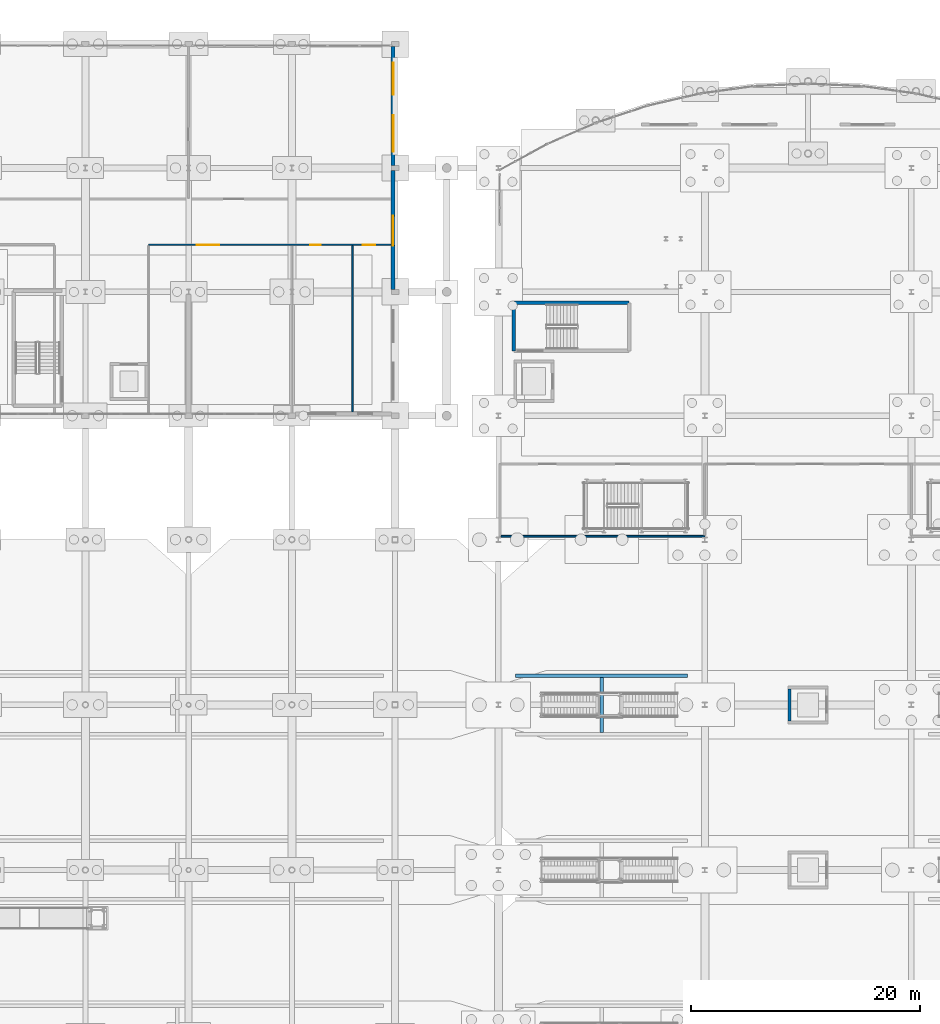
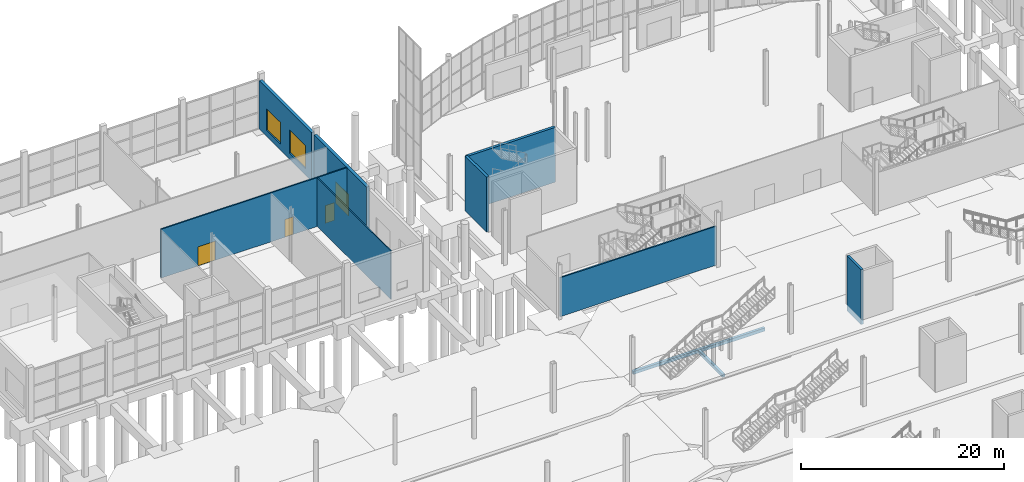
# One storey, part 89 of 115: 10 walls, 4 doors, 2 windows, 6 openings.
"""IFC4 building model written with IfcOpenShell, lengths in metres."""

from ifc_helpers import new_model, si_unit, direction, frame, frame_2d, origin, place, context, subcontext, project, spatial, rectangle, extrude, material, layer, layer_set, type_object, element, fill, save


model = new_model("IFC4")

# Units and contexts
model_context = context("Model", 3, precision=1e-05, world=origin(), true_north=direction((0.0, 1.0)))
body_context = subcontext(model_context, "Body", "Model", "MODEL_VIEW")
ifc_project = project(units=[si_unit("LENGTHUNIT", "METRE"), si_unit("AREAUNIT", "SQUARE_METRE"), si_unit("VOLUMEUNIT", "CUBIC_METRE"), si_unit("PLANEANGLEUNIT", "RADIAN"), si_unit("MASSUNIT", "GRAM", prefix="KILO")], contexts=[model_context])

# Site, building, storey
site_placement = place(None, origin())
site = spatial("IfcSite", under=ifc_project, at=site_placement, CompositionType="ELEMENT")
building_placement = place(site_placement, origin())
building = spatial("IfcBuilding", under=site, at=building_placement, Name="Tamarisk Ironworks Central Station", CompositionType="ELEMENT")
storey_placement = place(building_placement, origin())
storey = spatial("IfcBuildingStorey", under=building, at=storey_placement, Name="L00", CompositionType="ELEMENT", Elevation=0.0)

# Wall, opening, door
ifc_material_1 = material(Name="Clay facing brickwork and mortar", Category="masonry")
ifc_layer_1 = layer(ifc_material_1, 0.340087890625)
ifc_layer_set_1 = layer_set([ifc_layer_1], Name="Clay facing brickwork and mortar")
wall_type_1 = type_object("IfcWallType", Name="WL-BR340", PredefinedType="STANDARD", material=ifc_layer_set_1)
wall_1_placement = place(storey_placement, frame((44.830078125, 101.02294921875, 0.0), z_axis=(0.0, 0.0, 1.0), x_axis=(0.0, 1.0, 0.0)))
wall_1 = element("IfcWall", 1, at=wall_1_placement, inside=storey, type_object=wall_type_1, Name="L00 brick facade wall 0027", PredefinedType="STANDARD", context=body_context, shape_type="SweptSolid", body=[
    extrude(rectangle(XDim=10.35400390625, YDim=0.340087890625, at=frame_2d((5.177001953125, 0.0))), origin(), (0.0, 0.0, 1.0), 5.85009765625),
])
opening_1_placement = place(wall_1_placement, frame((3.800048828125, 0.0, 0.0048828125)))
opening_1 = element("IfcOpeningElement", 2, at=opening_1_placement, cuts=wall_1, Name="Opening ED04", PredefinedType="OPENING", context=body_context, shape_type="SweptSolid", body=[
    extrude(rectangle(XDim=2.60009765625, YDim=2.60009765625, at=frame_2d((1.300048828125, 1.300048828125))), frame((0.0, 0.18212890625, 0.0), z_axis=(0.0, -1.0, 0.0), x_axis=(1.0, 0.0, 0.0)), (0.0, 0.0, 1.0), 0.364013671875),
])
ifc_material_2 = material(Name="Anodized aluminium alloy 6063-T6", Category="aluminium")
door_type_1 = type_object("IfcDoorType", Name="DR-ED04", OperationType="NOTDEFINED", PredefinedType="DOOR", material=ifc_material_2)
door_1_placement = place(opening_1_placement, origin())
door_1 = element("IfcDoor", 3, at=door_1_placement, inside=storey, type_object=door_type_1, Name="L00 exterior entrance door 0008", OperationType="DOUBLE_DOOR_SINGLE_SWING", OverallHeight=2.60009765625, OverallWidth=2.60009765625, PredefinedType="DOOR", context=body_context, shape_type="SweptSolid", body=[
    extrude(rectangle(XDim=2.60009765625, YDim=2.60009765625, at=frame_2d((1.300048828125, 1.300048828125))), frame((0.0, 0.02490234375, 0.0), z_axis=(0.0, -1.0, 0.0), x_axis=(1.0, 0.0, 0.0)), (0.0, 0.0, 1.0), 0.050048828125),
])
fill(opening_1, door_1)

# Wall, openings, windows
wall_2_placement = place(storey_placement, frame((44.830078125, 111.822998046875, 0.0), z_axis=(0.0, 0.0, 1.0), x_axis=(0.0, 1.0, 0.0)))
wall_2 = element("IfcWall", 4, at=wall_2_placement, inside=storey, type_object=wall_type_1, Name="L00 brick facade wall 0029", PredefinedType="STANDARD", context=body_context, shape_type="SweptSolid", body=[
    extrude(rectangle(XDim=10.35400390625, YDim=0.340087890625, at=frame_2d((5.177001953125, 0.0))), origin(), (0.0, 0.0, 1.0), 5.85009765625),
])
opening_2_placement = place(wall_2_placement, frame((1.18896484375, 0.0, 0.75)))
opening_2 = element("IfcOpeningElement", 5, at=opening_2_placement, cuts=wall_2, Name="Opening W02", PredefinedType="OPENING", context=body_context, shape_type="SweptSolid", body=[
    extrude(rectangle(XDim=3.199951171875, YDim=2.800048828125, at=frame_2d((1.60009765625, 1.39990234375))), frame((0.0, 0.18212890625, 0.0), z_axis=(0.0, -1.0, 0.0), x_axis=(1.0, 0.0, 0.0)), (0.0, 0.0, 1.0), 0.364013671875),
])
opening_3_placement = place(wall_2_placement, frame((6.166015625, 0.0, 0.75)))
opening_3 = element("IfcOpeningElement", 6, at=opening_3_placement, cuts=wall_2, Name="Opening W04", PredefinedType="OPENING", context=body_context, shape_type="SweptSolid", body=[
    extrude(rectangle(XDim=2.800048828125, YDim=2.60009765625, at=frame_2d((1.39990234375, 1.300048828125))), frame((0.0, 0.18212890625, 0.0), z_axis=(0.0, -1.0, 0.0), x_axis=(1.0, 0.0, 0.0)), (0.0, 0.0, 1.0), 0.364013671875),
])
ifc_material_3 = material(Name="Laminated solar-control low-E glass", Category="glass")
window_type_1 = type_object("IfcWindowType", Name="WN-02", PartitioningType="SINGLE_PANEL", PredefinedType="WINDOW", material=ifc_material_3)
window_1_placement = place(opening_2_placement, origin())
window_1 = element("IfcWindow", 7, at=window_1_placement, inside=storey, type_object=window_type_1, Name="L00 exterior window 0028", OverallHeight=2.800048828125, OverallWidth=3.199951171875, PartitioningType="DOUBLE_PANEL_VERTICAL", PredefinedType="WINDOW", context=body_context, shape_type="SweptSolid", body=[
    extrude(rectangle(XDim=3.199951171875, YDim=2.800048828125, at=frame_2d((1.60009765625, 1.39990234375))), frame((0.0, 0.030029296875, 0.0), z_axis=(0.0, -1.0, 0.0), x_axis=(1.0, 0.0, 0.0)), (0.0, 0.0, 1.0), 0.06005859375),
])
fill(opening_2, window_1)
window_type_2 = type_object("IfcWindowType", Name="WN-04", PartitioningType="SINGLE_PANEL", PredefinedType="WINDOW", material=ifc_material_3)
window_2_placement = place(opening_3_placement, origin())
window_2 = element("IfcWindow", 8, at=window_2_placement, inside=storey, type_object=window_type_2, Name="L00 exterior window 0029", OverallHeight=2.60009765625, OverallWidth=2.800048828125, PartitioningType="DOUBLE_PANEL_VERTICAL", PredefinedType="WINDOW", context=body_context, shape_type="SweptSolid", body=[
    extrude(rectangle(XDim=2.800048828125, YDim=2.60009765625, at=frame_2d((1.39990234375, 1.300048828125))), frame((0.0, 0.030029296875, 0.0), z_axis=(0.0, -1.0, 0.0), x_axis=(1.0, 0.0, 0.0)), (0.0, 0.0, 1.0), 0.06005859375),
])
fill(opening_3, window_2)

# Walls
ifc_material_4 = material(Name="Concrete C50/60", Category="concrete")
ifc_layer_2 = layer(ifc_material_4, 0.300048828125)
ifc_layer_set_2 = layer_set([ifc_layer_2], Name="Concrete C50/60")
wall_type_2 = type_object("IfcWallType", Name="WL-CW300", PredefinedType="SOLIDWALL", material=ifc_layer_set_2)
wall_3_placement = place(storey_placement, frame((55.5, 67.35009765625, 0.0), z_axis=(0.0, 0.0, 1.0), x_axis=(1.0, 0.0, 0.0)))
element("IfcWall", 9, at=wall_3_placement, inside=storey, type_object=wall_type_2, Name="Platform P4 M structural plinth wall 044", PredefinedType="SOLIDWALL", context=body_context, shape_type="SweptSolid", body=[
    extrude(rectangle(XDim=15.0, YDim=0.300048828125, at=frame_2d((7.5, 0.0))), origin(), (0.0, 0.0, 1.0), 0.375),
])
wall_4_placement = place(storey_placement, frame((63.0, 62.39990234375, 0.0), z_axis=(0.0, 0.0, 1.0), x_axis=(0.0, 1.0, 0.0)))
element("IfcWall", 10, at=wall_4_placement, inside=storey, type_object=wall_type_2, Name="Platform P4 M transverse diaphragm wall 047", PredefinedType="SOLIDWALL", context=body_context, shape_type="SweptSolid", body=[
    extrude(rectangle(XDim=4.800048828125, YDim=0.300048828125, at=frame_2d((2.39990234375, 0.0))), origin(), (0.0, 0.0, 1.0), 0.375),
])
wall_5_placement = place(storey_placement, frame((55.35498046875, 99.844970703125, 0.0), z_axis=(0.0, 0.0, 1.0), x_axis=(1.0, 0.0, 0.0)))
element("IfcWall", 11, at=wall_5_placement, inside=storey, type_object=wall_type_2, Name="ST-C3 core wall R (L00)", PredefinedType="SOLIDWALL", context=body_context, shape_type="SweptSolid", body=[
    extrude(rectangle(XDim=10.0400390625, YDim=0.300048828125, at=frame_2d((5.02001953125, 0.0))), origin(), (0.0, 0.0, 1.0), 6.60009765625),
])
wall_6_placement = place(storey_placement, frame((55.35498046875, 95.655029296875, 0.0), z_axis=(0.0, 0.0, 1.0), x_axis=(0.0, 1.0, 0.0)))
element("IfcWall", 12, at=wall_6_placement, inside=storey, type_object=wall_type_2, Name="ST-C3 core wall N (L00)", PredefinedType="SOLIDWALL", context=body_context, shape_type="SweptSolid", body=[
    extrude(rectangle(XDim=4.18994140625, YDim=0.300048828125, at=frame_2d((2.094970703125, 0.0))), origin(), (0.0, 0.0, 1.0), 6.60009765625),
])
ifc_material_5 = material(Name="Gypsum plasterboard acoustic partition")
ifc_layer_3 = layer(ifc_material_5, 0.1201171875)
ifc_layer_set_3 = layer_set([ifc_layer_3], Name="Gypsum plasterboard acoustic partition")
wall_type_3 = type_object("IfcWallType", Name="WL-PT120", PredefinedType="PARTITIONING", material=ifc_layer_set_3)
wall_7_placement = place(storey_placement, frame((41.300048828125, 90.337890625, 0.0), z_axis=(0.0, 0.0, 1.0), x_axis=(0.0, 1.0, 0.0)))
element("IfcWall", 13, at=wall_7_placement, inside=storey, type_object=wall_type_3, Name="L00 interior partition 0026", PredefinedType="PARTITIONING", context=body_context, shape_type="SweptSolid", body=[
    extrude(rectangle(XDim=14.489013671875, YDim=0.1201171875, at=frame_2d((7.24462890625, 0.0))), origin(), (0.0, 0.0, 1.0), 5.840087890625),
])

# Wall, openings, doors
ifc_layer_4 = layer(ifc_material_5, 0.14990234375)
ifc_layer_set_4 = layer_set([ifc_layer_4], Name="Gypsum plasterboard acoustic partition")
wall_type_4 = type_object("IfcWallType", Name="WL-PT150", PredefinedType="PARTITIONING", material=ifc_layer_set_4)
wall_8_placement = place(storey_placement, frame((23.5, 104.89990234375, 0.0), z_axis=(0.0, 0.0, 1.0), x_axis=(1.0, 0.0, 0.0)))
wall_8 = element("IfcWall", 14, at=wall_8_placement, inside=storey, type_object=wall_type_4, Name="L00 interior partition 0020", PredefinedType="PARTITIONING", context=body_context, shape_type="SweptSolid", body=[
    extrude(rectangle(XDim=21.162109375, YDim=0.14990234375, at=frame_2d((10.5810546875, 0.0))), origin(), (0.0, 0.0, 1.0), 5.889892578125),
])
opening_4_placement = place(wall_8_placement, frame((4.199951171875, 0.0, 0.0048828125)))
opening_4 = element("IfcOpeningElement", 15, at=opening_4_placement, cuts=wall_8, Name="Opening D02", PredefinedType="OPENING", context=body_context, shape_type="SweptSolid", body=[
    extrude(rectangle(XDim=1.949951171875, YDim=2.300048828125, at=frame_2d((0.97509765625, 1.14990234375))), frame((0.0, 0.0869140625, 0.0), z_axis=(0.0, -1.0, 0.0), x_axis=(1.0, 0.0, 0.0)), (0.0, 0.0, 1.0), 0.173828125),
])
opening_5_placement = place(wall_8_placement, frame((14.10009765625, 0.0, 0.0048828125)))
opening_5 = element("IfcOpeningElement", 16, at=opening_5_placement, cuts=wall_8, Name="Opening WC01", PredefinedType="OPENING", context=body_context, shape_type="SweptSolid", body=[
    extrude(rectangle(XDim=0.919921875, YDim=2.1201171875, at=frame_2d((0.4599609375, 1.06005859375))), frame((0.0, 0.0869140625, 0.0), z_axis=(0.0, -1.0, 0.0), x_axis=(1.0, 0.0, 0.0)), (0.0, 0.0, 1.0), 0.173828125),
])
opening_6_placement = place(wall_8_placement, frame((18.699951171875, 0.0, 0.0048828125)))
opening_6 = element("IfcOpeningElement", 17, at=opening_6_placement, cuts=wall_8, Name="Opening WC02", PredefinedType="OPENING", context=body_context, shape_type="SweptSolid", body=[
    extrude(rectangle(XDim=1.050048828125, YDim=2.14990234375, at=frame_2d((0.52490234375, 1.074951171875))), frame((0.0, 0.0869140625, 0.0), z_axis=(0.0, -1.0, 0.0), x_axis=(1.0, 0.0, 0.0)), (0.0, 0.0, 1.0), 0.173828125),
])
door_type_2 = type_object("IfcDoorType", Name="DR-ID02", OperationType="NOTDEFINED", PredefinedType="DOOR", material=ifc_material_2)
door_2_placement = place(opening_4_placement, origin())
door_2 = element("IfcDoor", 18, at=door_2_placement, inside=storey, type_object=door_type_2, Name="L00 room door 0016", OperationType="DOUBLE_DOOR_SINGLE_SWING", OverallHeight=2.300048828125, OverallWidth=1.949951171875, PredefinedType="DOOR", context=body_context, shape_type="SweptSolid", body=[
    extrude(rectangle(XDim=1.949951171875, YDim=2.300048828125, at=frame_2d((0.97509765625, 1.14990234375))), frame((0.0, 0.02490234375, 0.0), z_axis=(0.0, -1.0, 0.0), x_axis=(1.0, 0.0, 0.0)), (0.0, 0.0, 1.0), 0.050048828125),
])
fill(opening_4, door_2)
ifc_material_6 = material(Name="FSC certified tropical hardwood timber", Category="wood")
door_type_3 = type_object("IfcDoorType", Name="DR-WC01", OperationType="NOTDEFINED", PredefinedType="DOOR", material=ifc_material_6)
door_3_placement = place(opening_5_placement, origin())
door_3 = element("IfcDoor", 19, at=door_3_placement, inside=storey, type_object=door_type_3, Name="L00 room door 0017", OperationType="SINGLE_SWING_LEFT", OverallHeight=2.1201171875, OverallWidth=0.919921875, PredefinedType="DOOR", context=body_context, shape_type="SweptSolid", body=[
    extrude(rectangle(XDim=0.919921875, YDim=2.1201171875, at=frame_2d((0.4599609375, 1.06005859375))), frame((0.0, 0.02490234375, 0.0), z_axis=(0.0, -1.0, 0.0), x_axis=(1.0, 0.0, 0.0)), (0.0, 0.0, 1.0), 0.050048828125),
])
fill(opening_5, door_3)
door_type_4 = type_object("IfcDoorType", Name="DR-WC02", OperationType="NOTDEFINED", PredefinedType="DOOR", material=ifc_material_6)
door_4_placement = place(opening_6_placement, origin())
door_4 = element("IfcDoor", 20, at=door_4_placement, inside=storey, type_object=door_type_4, Name="L00 room door 0018", OperationType="SINGLE_SWING_RIGHT", OverallHeight=2.14990234375, OverallWidth=1.050048828125, PredefinedType="DOOR", context=body_context, shape_type="SweptSolid", body=[
    extrude(rectangle(XDim=1.050048828125, YDim=2.14990234375, at=frame_2d((0.52490234375, 1.074951171875))), frame((0.0, 0.02490234375, 0.0), z_axis=(0.0, -1.0, 0.0), x_axis=(1.0, 0.0, 0.0)), (0.0, 0.0, 1.0), 0.050048828125),
])
fill(opening_6, door_4)

# Walls
ifc_layer_5 = layer(ifc_material_5, 0.159912109375)
ifc_layer_set_5 = layer_set([ifc_layer_5], Name="Gypsum plasterboard acoustic partition")
wall_type_5 = type_object("IfcWallType", Name="WL-PT160", PredefinedType="PARTITIONING", material=ifc_layer_set_5)
wall_9_placement = place(storey_placement, frame((54.22802734375, 79.5, 0.0), z_axis=(0.0, 0.0, 1.0), x_axis=(1.0, 0.0, 0.0)))
element("IfcWall", 21, at=wall_9_placement, inside=storey, type_object=wall_type_5, Name="L00 interior partition 0005", PredefinedType="PARTITIONING", context=body_context, shape_type="SweptSolid", body=[
    extrude(rectangle(XDim=17.77197265625, YDim=0.159912109375, at=frame_2d((8.885986328125, 0.0))), origin(), (0.0, 0.0, 1.0), 4.679931640625),
])
ifc_layer_6 = layer(ifc_material_4, 0.25)
ifc_layer_set_6 = layer_set([ifc_layer_6], Name="Concrete C50/60")
wall_type_6 = type_object("IfcWallType", Name="WL-SH250", PredefinedType="SOLIDWALL", material=ifc_layer_set_6)
wall_10_placement = place(storey_placement, frame((79.375, 63.39990234375, 0.0), z_axis=(0.0, 0.0, 1.0), x_axis=(0.0, 1.0, 0.0)))
element("IfcWall", 22, at=wall_10_placement, inside=storey, type_object=wall_type_6, Name="LF-P4 lift shaft wall W (L00)", PredefinedType="SOLIDWALL", context=body_context, shape_type="SweptSolid", body=[
    extrude(rectangle(XDim=2.800048828125, YDim=0.25, at=frame_2d((1.39990234375, 0.0))), origin(), (0.0, 0.0, 1.0), 6.60009765625),
])

save(model, "model.ifc")
